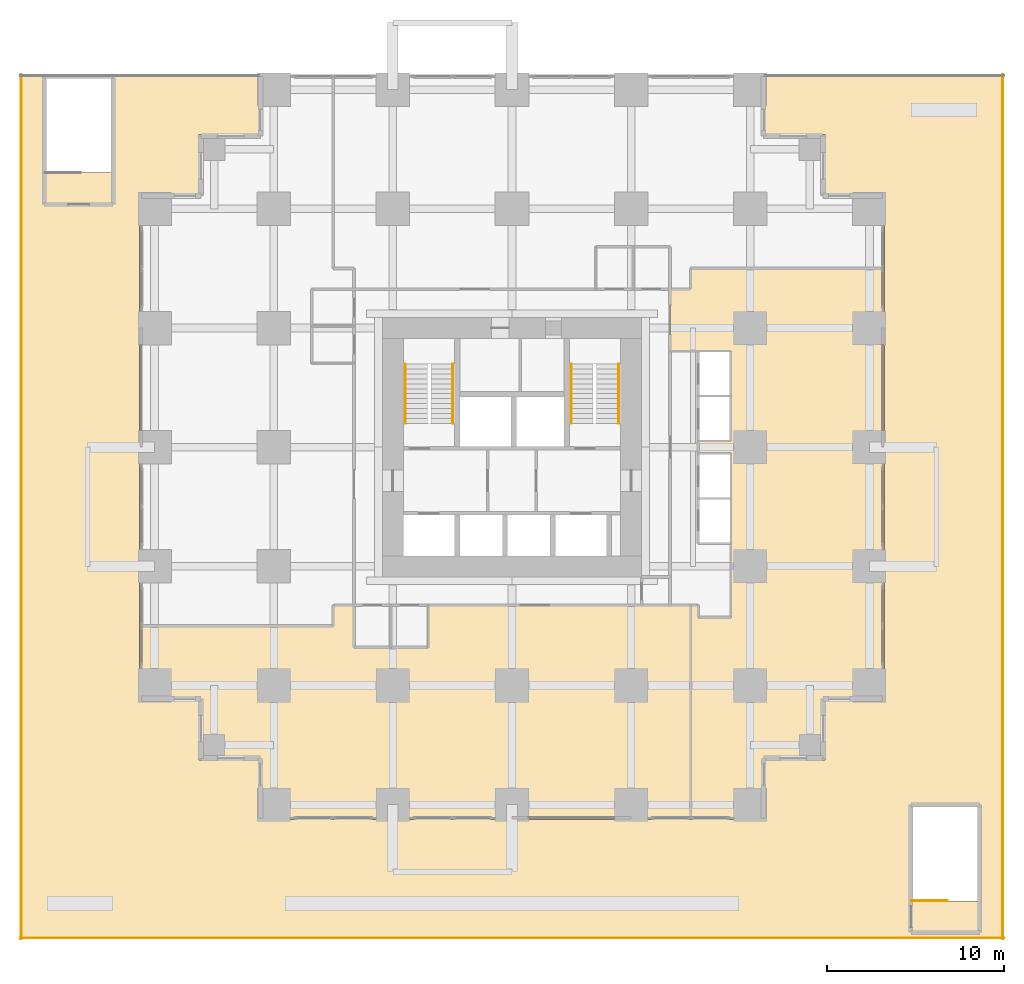
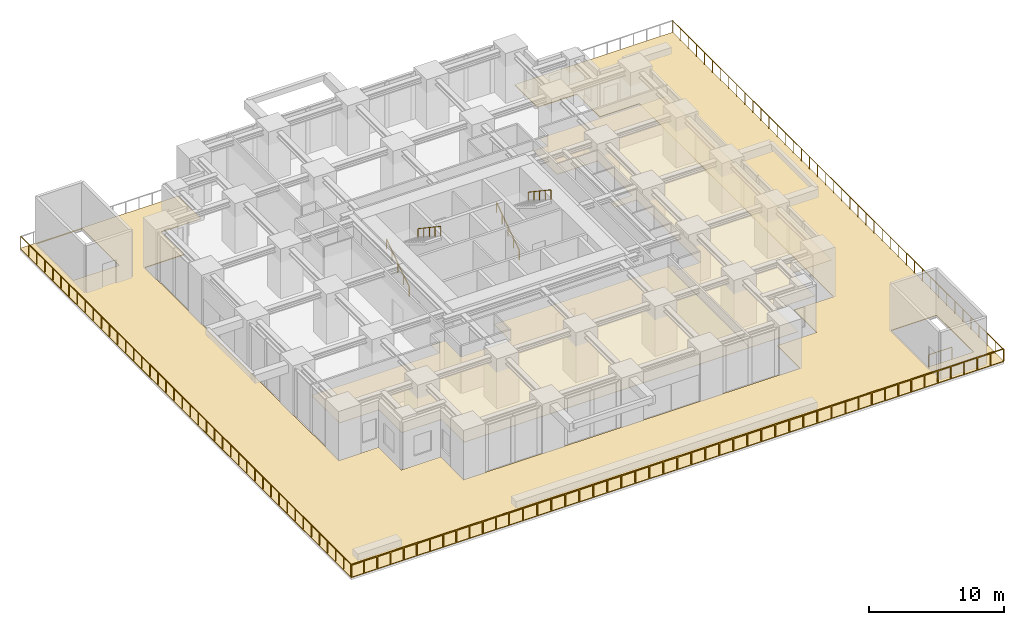
# One storey, part 8 of 9: 14 railings, 3 coverings.
"""IFC4 building model written with IfcOpenShell, lengths in metres."""

from ifc_helpers import new_model, si_unit, direction, frame, origin, origin_2d, place, context, subcontext, project, spatial, polyline, rectangle, outline, extrude, material, layer, layer_set, type_object, element, save


model = new_model("IFC4")

# Units and contexts
model_context = context("Model", 3, precision=1e-05, world=origin(), true_north=direction((0.0, 1.0)))
body_context = subcontext(model_context, "Body", "Model", "MODEL_VIEW")
ifc_project = project(units=[si_unit("LENGTHUNIT", "METRE"), si_unit("AREAUNIT", "SQUARE_METRE"), si_unit("VOLUMEUNIT", "CUBIC_METRE"), si_unit("PLANEANGLEUNIT", "RADIAN"), si_unit("MASSUNIT", "GRAM", prefix="KILO")], contexts=[model_context])

# Site, building, storey
site_placement = place(None, origin())
site = spatial("IfcSite", under=ifc_project, at=site_placement, CompositionType="ELEMENT")
building_placement = place(site_placement, origin())
building = spatial("IfcBuilding", under=site, at=building_placement, Name="Nyansa Garden Tower", CompositionType="ELEMENT")
storey_placement = place(building_placement, frame((0.0, 0.0, 13.5)))
storey = spatial("IfcBuildingStorey", under=building, at=storey_placement, Name="L03", CompositionType="ELEMENT", Elevation=13.5)

# Railings
ifc_material_1 = material(Name="Black powder-coated steel tube 48 mm", Category="steel")
railing_type_1 = type_object("IfcRailingType", Name="Stair handrail HR1", PredefinedType="HANDRAIL", material=ifc_material_1)
railing_1_placement = place(storey_placement, frame((14.199951171875, 21.60009765625, 0.0)))
element("IfcRailing", 1, at=railing_1_placement, inside=storey, type_object=railing_type_1, Name="Stair S1 handrail L03", PredefinedType="HANDRAIL", context=body_context, shape_type="SweptSolid", body=[
    extrude(rectangle(XDim=0.048095703125, YDim=0.048095703125, at=origin_2d()), frame((0.0, 0.0, 0.8759765625), z_axis=(0.0, 0.830896709279, 0.556426687452), x_axis=(-1.0, 0.0, 0.0)), (0.0, 0.0, 1.0), 4.043701171875),
    extrude(rectangle(XDim=0.0419921875, YDim=0.0419921875, at=origin_2d()), origin(), (0.0, 0.0, 1.0), 0.851806640625),
    extrude(rectangle(XDim=0.0419921875, YDim=0.0419921875, at=origin_2d()), frame((0.0, 0.83984375, 0.5625)), (0.0, 0.0, 1.0), 0.851806640625),
    extrude(rectangle(XDim=0.0419921875, YDim=0.0419921875, at=origin_2d()), frame((0.0, 1.679931640625, 1.125)), (0.0, 0.0, 1.0), 0.851806640625),
    extrude(rectangle(XDim=0.0419921875, YDim=0.0419921875, at=origin_2d()), frame((0.0, 2.52001953125, 1.6875)), (0.0, 0.0, 1.0), 0.851806640625),
    extrude(rectangle(XDim=0.0419921875, YDim=0.0419921875, at=origin_2d()), frame((0.0, 3.35986328125, 2.25)), (0.0, 0.0, 1.0), 0.851806640625),
])
railing_2_placement = place(storey_placement, frame((16.89990234375, 24.9599609375, 2.25)))
element("IfcRailing", 2, at=railing_2_placement, inside=storey, type_object=railing_type_1, Name="Stair S1 handrail L03", PredefinedType="HANDRAIL", context=body_context, shape_type="SweptSolid", body=[
    extrude(rectangle(XDim=0.048095703125, YDim=0.048095703125, at=origin_2d()), frame((0.0, 0.0, 0.8759765625), z_axis=(0.0, -0.830896709279, 0.556426687452), x_axis=(1.0, 0.0, 0.0)), (0.0, 0.0, 1.0), 4.043701171875),
    extrude(rectangle(XDim=0.0419921875, YDim=0.0419921875, at=origin_2d()), origin(), (0.0, 0.0, 1.0), 0.851806640625),
    extrude(rectangle(XDim=0.0419921875, YDim=0.0419921875, at=origin_2d()), frame((0.0, -0.83984375, 0.5625)), (0.0, 0.0, 1.0), 0.851806640625),
    extrude(rectangle(XDim=0.0419921875, YDim=0.0419921875, at=origin_2d()), frame((0.0, -1.679931640625, 1.125)), (0.0, 0.0, 1.0), 0.851806640625),
    extrude(rectangle(XDim=0.0419921875, YDim=0.0419921875, at=origin_2d()), frame((0.0, -2.52001953125, 1.6875)), (0.0, 0.0, 1.0), 0.851806640625),
    extrude(rectangle(XDim=0.0419921875, YDim=0.0419921875, at=origin_2d()), frame((0.0, -3.35986328125, 2.25)), (0.0, 0.0, 1.0), 0.851806640625),
])
railing_3_placement = place(storey_placement, frame((23.60009765625, 21.60009765625, 0.0)))
element("IfcRailing", 3, at=railing_3_placement, inside=storey, type_object=railing_type_1, Name="Stair S2 handrail L03", PredefinedType="HANDRAIL", context=body_context, shape_type="SweptSolid", body=[
    extrude(rectangle(XDim=0.048095703125, YDim=0.048095703125, at=origin_2d()), frame((0.0, 0.0, 0.8759765625), z_axis=(0.0, 0.830896709279, 0.556426687452), x_axis=(-1.0, 0.0, 0.0)), (0.0, 0.0, 1.0), 4.043701171875),
    extrude(rectangle(XDim=0.0419921875, YDim=0.0419921875, at=origin_2d()), origin(), (0.0, 0.0, 1.0), 0.851806640625),
    extrude(rectangle(XDim=0.0419921875, YDim=0.0419921875, at=origin_2d()), frame((0.0, 0.83984375, 0.5625)), (0.0, 0.0, 1.0), 0.851806640625),
    extrude(rectangle(XDim=0.0419921875, YDim=0.0419921875, at=origin_2d()), frame((0.0, 1.679931640625, 1.125)), (0.0, 0.0, 1.0), 0.851806640625),
    extrude(rectangle(XDim=0.0419921875, YDim=0.0419921875, at=origin_2d()), frame((0.0, 2.52001953125, 1.6875)), (0.0, 0.0, 1.0), 0.851806640625),
    extrude(rectangle(XDim=0.0419921875, YDim=0.0419921875, at=origin_2d()), frame((0.0, 3.35986328125, 2.25)), (0.0, 0.0, 1.0), 0.851806640625),
])
railing_4_placement = place(storey_placement, frame((26.300048828125, 24.9599609375, 2.25)))
element("IfcRailing", 4, at=railing_4_placement, inside=storey, type_object=railing_type_1, Name="Stair S2 handrail L03", PredefinedType="HANDRAIL", context=body_context, shape_type="SweptSolid", body=[
    extrude(rectangle(XDim=0.048095703125, YDim=0.048095703125, at=origin_2d()), frame((0.0, 0.0, 0.8759765625), z_axis=(0.0, -0.830896709279, 0.556426687452), x_axis=(1.0, 0.0, 0.0)), (0.0, 0.0, 1.0), 4.043701171875),
    extrude(rectangle(XDim=0.0419921875, YDim=0.0419921875, at=origin_2d()), origin(), (0.0, 0.0, 1.0), 0.851806640625),
    extrude(rectangle(XDim=0.0419921875, YDim=0.0419921875, at=origin_2d()), frame((0.0, -0.83984375, 0.5625)), (0.0, 0.0, 1.0), 0.851806640625),
    extrude(rectangle(XDim=0.0419921875, YDim=0.0419921875, at=origin_2d()), frame((0.0, -1.679931640625, 1.125)), (0.0, 0.0, 1.0), 0.851806640625),
    extrude(rectangle(XDim=0.0419921875, YDim=0.0419921875, at=origin_2d()), frame((0.0, -2.52001953125, 1.6875)), (0.0, 0.0, 1.0), 0.851806640625),
    extrude(rectangle(XDim=0.0419921875, YDim=0.0419921875, at=origin_2d()), frame((0.0, -3.35986328125, 2.25)), (0.0, 0.0, 1.0), 0.851806640625),
])
ifc_material_2 = material(Name="Black powder-coated steel balusters", Category="steel")
railing_type_2 = type_object("IfcRailingType", Name="Stair well guard G3", PredefinedType="GUARDRAIL", material=ifc_material_2)
railing_5_placement = place(storey_placement, frame((42.89990234375, -5.449951171875, 0.0)))
element("IfcRailing", 5, at=railing_5_placement, inside=storey, type_object=railing_type_2, Name="Stair S4 well guard L03", PredefinedType="GUARDRAIL", context=body_context, shape_type="SweptSolid", body=[
    extrude(rectangle(XDim=0.048095703125, YDim=0.048095703125, at=origin_2d()), frame((0.0, 0.0, 1.076171875), z_axis=(1.0, 0.0, 0.0), x_axis=(0.0, 1.0, 0.0)), (0.0, 0.0, 1.0), 2.0),
    extrude(rectangle(XDim=0.0419921875, YDim=0.0419921875, at=origin_2d()), origin(), (0.0, 0.0, 1.0), 1.052001953125),
    extrude(rectangle(XDim=0.0419921875, YDim=0.0419921875, at=origin_2d()), frame((1.0, 0.0, 0.0)), (0.0, 0.0, 1.0), 1.052001953125),
    extrude(rectangle(XDim=0.0419921875, YDim=0.0419921875, at=origin_2d()), frame((2.0, 0.0, 0.0)), (0.0, 0.0, 1.0), 1.052001953125),
])
ifc_material_3 = material(Name="Black powder-coated steel, laminated glass infill", Category="steel")
railing_type_3 = type_object("IfcRailingType", Name="Terrace guard G2", PredefinedType="GUARDRAIL", material=ifc_material_3)
railing_6_placement = place(storey_placement, frame((-0.85009765625, -7.550048828125, 0.0)))
element("IfcRailing", 6, at=railing_6_placement, inside=storey, type_object=railing_type_3, Name="Terrace guard L03", PredefinedType="GUARDRAIL", context=body_context, shape_type="SweptSolid", body=[
    extrude(rectangle(XDim=0.048095703125, YDim=0.048095703125, at=origin_2d()), frame((0.0, 0.0, 1.076171875), z_axis=(-1.0, 0.0, 0.0), x_axis=(0.0, -1.0, 0.0)), (0.0, 0.0, 1.0), 6.75),
    extrude(rectangle(XDim=0.0419921875, YDim=0.0419921875, at=origin_2d()), origin(), (0.0, 0.0, 1.0), 1.052001953125),
    extrude(rectangle(XDim=0.0419921875, YDim=0.0419921875, at=origin_2d()), frame((-1.125, 0.0, 0.0)), (0.0, 0.0, 1.0), 1.052001953125),
    extrude(rectangle(XDim=0.0419921875, YDim=0.0419921875, at=origin_2d()), frame((-2.25, 0.0, 0.0)), (0.0, 0.0, 1.0), 1.052001953125),
    extrude(rectangle(XDim=0.0419921875, YDim=0.0419921875, at=origin_2d()), frame((-3.375, 0.0, 0.0)), (0.0, 0.0, 1.0), 1.052001953125),
    extrude(rectangle(XDim=0.0419921875, YDim=0.0419921875, at=origin_2d()), frame((-4.5, 0.0, 0.0)), (0.0, 0.0, 1.0), 1.052001953125),
    extrude(rectangle(XDim=0.0419921875, YDim=0.0419921875, at=origin_2d()), frame((-5.625, 0.0, 0.0)), (0.0, 0.0, 1.0), 1.052001953125),
    extrude(rectangle(XDim=0.0419921875, YDim=0.0419921875, at=origin_2d()), frame((-6.75, 0.0, 0.0)), (0.0, 0.0, 1.0), 1.052001953125),
])
railing_7_placement = place(storey_placement, frame((-7.550048828125, -7.60009765625, 0.0)))
element("IfcRailing", 7, at=railing_7_placement, inside=storey, type_object=railing_type_3, Name="Terrace guard L03", PredefinedType="GUARDRAIL", context=body_context, shape_type="SweptSolid", body=[
    extrude(rectangle(XDim=0.048095703125, YDim=0.048095703125, at=origin_2d()), frame((0.0, 0.0, 1.076171875), z_axis=(0.0, 1.0, 0.0), x_axis=(-1.0, 0.0, 0.0)), (0.0, 0.0, 1.0), 48.9501953125),
    extrude(rectangle(XDim=0.0419921875, YDim=0.0419921875, at=origin_2d()), origin(), (0.0, 0.0, 1.0), 1.052001953125),
    extrude(rectangle(XDim=0.0419921875, YDim=0.0419921875, at=origin_2d()), frame((0.0, 1.19384765625, 0.0)), (0.0, 0.0, 1.0), 1.052001953125),
    extrude(rectangle(XDim=0.0419921875, YDim=0.0419921875, at=origin_2d()), frame((0.0, 2.3876953125, 0.0)), (0.0, 0.0, 1.0), 1.052001953125),
    extrude(rectangle(XDim=0.0419921875, YDim=0.0419921875, at=origin_2d()), frame((0.0, 3.581787109375, 0.0)), (0.0, 0.0, 1.0), 1.052001953125),
    extrude(rectangle(XDim=0.0419921875, YDim=0.0419921875, at=origin_2d()), frame((0.0, 4.775634765625, 0.0)), (0.0, 0.0, 1.0), 1.052001953125),
    extrude(rectangle(XDim=0.0419921875, YDim=0.0419921875, at=origin_2d()), frame((0.0, 5.969482421875, 0.0)), (0.0, 0.0, 1.0), 1.052001953125),
    extrude(rectangle(XDim=0.0419921875, YDim=0.0419921875, at=origin_2d()), frame((0.0, 7.163330078125, 0.0)), (0.0, 0.0, 1.0), 1.052001953125),
    extrude(rectangle(XDim=0.0419921875, YDim=0.0419921875, at=origin_2d()), frame((0.0, 8.357421875, 0.0)), (0.0, 0.0, 1.0), 1.052001953125),
    extrude(rectangle(XDim=0.0419921875, YDim=0.0419921875, at=origin_2d()), frame((0.0, 9.55126953125, 0.0)), (0.0, 0.0, 1.0), 1.052001953125),
    extrude(rectangle(XDim=0.0419921875, YDim=0.0419921875, at=origin_2d()), frame((0.0, 10.7451171875, 0.0)), (0.0, 0.0, 1.0), 1.052001953125),
    extrude(rectangle(XDim=0.0419921875, YDim=0.0419921875, at=origin_2d()), frame((0.0, 11.93896484375, 0.0)), (0.0, 0.0, 1.0), 1.052001953125),
    extrude(rectangle(XDim=0.0419921875, YDim=0.0419921875, at=origin_2d()), frame((0.0, 13.133056640625, 0.0)), (0.0, 0.0, 1.0), 1.052001953125),
    extrude(rectangle(XDim=0.0419921875, YDim=0.0419921875, at=origin_2d()), frame((0.0, 14.326904296875, 0.0)), (0.0, 0.0, 1.0), 1.052001953125),
    extrude(rectangle(XDim=0.0419921875, YDim=0.0419921875, at=origin_2d()), frame((0.0, 15.520751953125, 0.0)), (0.0, 0.0, 1.0), 1.052001953125),
    extrude(rectangle(XDim=0.0419921875, YDim=0.0419921875, at=origin_2d()), frame((0.0, 16.714599609375, 0.0)), (0.0, 0.0, 1.0), 1.052001953125),
    extrude(rectangle(XDim=0.0419921875, YDim=0.0419921875, at=origin_2d()), frame((0.0, 17.90869140625, 0.0)), (0.0, 0.0, 1.0), 1.052001953125),
    extrude(rectangle(XDim=0.0419921875, YDim=0.0419921875, at=origin_2d()), frame((0.0, 19.1025390625, 0.0)), (0.0, 0.0, 1.0), 1.052001953125),
    extrude(rectangle(XDim=0.0419921875, YDim=0.0419921875, at=origin_2d()), frame((0.0, 20.29638671875, 0.0)), (0.0, 0.0, 1.0), 1.052001953125),
    extrude(rectangle(XDim=0.0419921875, YDim=0.0419921875, at=origin_2d()), frame((0.0, 21.490234375, 0.0)), (0.0, 0.0, 1.0), 1.052001953125),
    extrude(rectangle(XDim=0.0419921875, YDim=0.0419921875, at=origin_2d()), frame((0.0, 22.684326171875, 0.0)), (0.0, 0.0, 1.0), 1.052001953125),
    extrude(rectangle(XDim=0.0419921875, YDim=0.0419921875, at=origin_2d()), frame((0.0, 23.878173828125, 0.0)), (0.0, 0.0, 1.0), 1.052001953125),
    extrude(rectangle(XDim=0.0419921875, YDim=0.0419921875, at=origin_2d()), frame((0.0, 25.072021484375, 0.0)), (0.0, 0.0, 1.0), 1.052001953125),
    extrude(rectangle(XDim=0.0419921875, YDim=0.0419921875, at=origin_2d()), frame((0.0, 26.265869140625, 0.0)), (0.0, 0.0, 1.0), 1.052001953125),
    extrude(rectangle(XDim=0.0419921875, YDim=0.0419921875, at=origin_2d()), frame((0.0, 27.4599609375, 0.0)), (0.0, 0.0, 1.0), 1.052001953125),
    extrude(rectangle(XDim=0.0419921875, YDim=0.0419921875, at=origin_2d()), frame((0.0, 28.65380859375, 0.0)), (0.0, 0.0, 1.0), 1.052001953125),
    extrude(rectangle(XDim=0.0419921875, YDim=0.0419921875, at=origin_2d()), frame((0.0, 29.84765625, 0.0)), (0.0, 0.0, 1.0), 1.052001953125),
    extrude(rectangle(XDim=0.0419921875, YDim=0.0419921875, at=origin_2d()), frame((0.0, 31.04150390625, 0.0)), (0.0, 0.0, 1.0), 1.052001953125),
    extrude(rectangle(XDim=0.0419921875, YDim=0.0419921875, at=origin_2d()), frame((0.0, 32.235595703125, 0.0)), (0.0, 0.0, 1.0), 1.052001953125),
    extrude(rectangle(XDim=0.0419921875, YDim=0.0419921875, at=origin_2d()), frame((0.0, 33.429443359375, 0.0)), (0.0, 0.0, 1.0), 1.052001953125),
    extrude(rectangle(XDim=0.0419921875, YDim=0.0419921875, at=origin_2d()), frame((0.0, 34.623291015625, 0.0)), (0.0, 0.0, 1.0), 1.052001953125),
    extrude(rectangle(XDim=0.0419921875, YDim=0.0419921875, at=origin_2d()), frame((0.0, 35.817138671875, 0.0)), (0.0, 0.0, 1.0), 1.052001953125),
    extrude(rectangle(XDim=0.0419921875, YDim=0.0419921875, at=origin_2d()), frame((0.0, 37.01123046875, 0.0)), (0.0, 0.0, 1.0), 1.052001953125),
    extrude(rectangle(XDim=0.0419921875, YDim=0.0419921875, at=origin_2d()), frame((0.0, 38.205078125, 0.0)), (0.0, 0.0, 1.0), 1.052001953125),
    extrude(rectangle(XDim=0.0419921875, YDim=0.0419921875, at=origin_2d()), frame((0.0, 39.39892578125, 0.0)), (0.0, 0.0, 1.0), 1.052001953125),
    extrude(rectangle(XDim=0.0419921875, YDim=0.0419921875, at=origin_2d()), frame((0.0, 40.5927734375, 0.0)), (0.0, 0.0, 1.0), 1.052001953125),
    extrude(rectangle(XDim=0.0419921875, YDim=0.0419921875, at=origin_2d()), frame((0.0, 41.786865234375, 0.0)), (0.0, 0.0, 1.0), 1.052001953125),
    extrude(rectangle(XDim=0.0419921875, YDim=0.0419921875, at=origin_2d()), frame((0.0, 42.980712890625, 0.0)), (0.0, 0.0, 1.0), 1.052001953125),
    extrude(rectangle(XDim=0.0419921875, YDim=0.0419921875, at=origin_2d()), frame((0.0, 44.174560546875, 0.0)), (0.0, 0.0, 1.0), 1.052001953125),
    extrude(rectangle(XDim=0.0419921875, YDim=0.0419921875, at=origin_2d()), frame((0.0, 45.368408203125, 0.0)), (0.0, 0.0, 1.0), 1.052001953125),
    extrude(rectangle(XDim=0.0419921875, YDim=0.0419921875, at=origin_2d()), frame((0.0, 46.5625, 0.0)), (0.0, 0.0, 1.0), 1.052001953125),
    extrude(rectangle(XDim=0.0419921875, YDim=0.0419921875, at=origin_2d()), frame((0.0, 47.75634765625, 0.0)), (0.0, 0.0, 1.0), 1.052001953125),
    extrude(rectangle(XDim=0.0419921875, YDim=0.0419921875, at=origin_2d()), frame((0.0, 48.9501953125, 0.0)), (0.0, 0.0, 1.0), 1.052001953125),
])
for number, where, name in (
    (8, (2.52490234375, -7.550048828125, 0.0), "Terrace guard L03"),
    (9, (5.89990234375, -7.550048828125, 0.0), "Terrace guard L03"),
):
    element("IfcRailing", number, at=place(storey_placement, frame(where)), inside=storey, type_object=railing_type_3, Name=name, PredefinedType="GUARDRAIL", context=body_context, shape_type="SweptSolid", body=[
        extrude(rectangle(XDim=0.048095703125, YDim=0.048095703125, at=origin_2d()), frame((0.0, 0.0, 1.076171875), z_axis=(-1.0, 0.0, 0.0), x_axis=(0.0, -1.0, 0.0)), (0.0, 0.0, 1.0), 3.375),
        extrude(rectangle(XDim=0.0419921875, YDim=0.0419921875, at=origin_2d()), origin(), (0.0, 0.0, 1.0), 1.052001953125),
        extrude(rectangle(XDim=0.0419921875, YDim=0.0419921875, at=origin_2d()), frame((-1.125, 0.0, 0.0)), (0.0, 0.0, 1.0), 1.052001953125),
        extrude(rectangle(XDim=0.0419921875, YDim=0.0419921875, at=origin_2d()), frame((-2.25, 0.0, 0.0)), (0.0, 0.0, 1.0), 1.052001953125),
        extrude(rectangle(XDim=0.0419921875, YDim=0.0419921875, at=origin_2d()), frame((-3.375, 0.0, 0.0)), (0.0, 0.0, 1.0), 1.052001953125),
    ])
railing_8_placement = place(storey_placement, frame((34.60009765625, -7.550048828125, 0.0)))
element("IfcRailing", 10, at=railing_8_placement, inside=storey, type_object=railing_type_3, Name="Terrace guard L03", PredefinedType="GUARDRAIL", context=body_context, shape_type="SweptSolid", body=[
    extrude(rectangle(XDim=0.048095703125, YDim=0.048095703125, at=origin_2d()), frame((0.0, 0.0, 1.076171875), z_axis=(-1.0, 0.0, 0.0), x_axis=(0.0, -1.0, 0.0)), (0.0, 0.0, 1.0), 28.7001953125),
    extrude(rectangle(XDim=0.0419921875, YDim=0.0419921875, at=origin_2d()), origin(), (0.0, 0.0, 1.0), 1.052001953125),
    extrude(rectangle(XDim=0.0419921875, YDim=0.0419921875, at=origin_2d()), frame((-1.19580078125, 0.0, 0.0)), (0.0, 0.0, 1.0), 1.052001953125),
    extrude(rectangle(XDim=0.0419921875, YDim=0.0419921875, at=origin_2d()), frame((-2.3916015625, 0.0, 0.0)), (0.0, 0.0, 1.0), 1.052001953125),
    extrude(rectangle(XDim=0.0419921875, YDim=0.0419921875, at=origin_2d()), frame((-3.58740234375, 0.0, 0.0)), (0.0, 0.0, 1.0), 1.052001953125),
    extrude(rectangle(XDim=0.0419921875, YDim=0.0419921875, at=origin_2d()), frame((-4.783447265625, 0.0, 0.0)), (0.0, 0.0, 1.0), 1.052001953125),
    extrude(rectangle(XDim=0.0419921875, YDim=0.0419921875, at=origin_2d()), frame((-5.979248046875, 0.0, 0.0)), (0.0, 0.0, 1.0), 1.052001953125),
    extrude(rectangle(XDim=0.0419921875, YDim=0.0419921875, at=origin_2d()), frame((-7.175048828125, 0.0, 0.0)), (0.0, 0.0, 1.0), 1.052001953125),
    extrude(rectangle(XDim=0.0419921875, YDim=0.0419921875, at=origin_2d()), frame((-8.370849609375, 0.0, 0.0)), (0.0, 0.0, 1.0), 1.052001953125),
    extrude(rectangle(XDim=0.0419921875, YDim=0.0419921875, at=origin_2d()), frame((-9.566650390625, 0.0, 0.0)), (0.0, 0.0, 1.0), 1.052001953125),
    extrude(rectangle(XDim=0.0419921875, YDim=0.0419921875, at=origin_2d()), frame((-10.7626953125, 0.0, 0.0)), (0.0, 0.0, 1.0), 1.052001953125),
    extrude(rectangle(XDim=0.0419921875, YDim=0.0419921875, at=origin_2d()), frame((-11.95849609375, 0.0, 0.0)), (0.0, 0.0, 1.0), 1.052001953125),
    extrude(rectangle(XDim=0.0419921875, YDim=0.0419921875, at=origin_2d()), frame((-13.154296875, 0.0, 0.0)), (0.0, 0.0, 1.0), 1.052001953125),
    extrude(rectangle(XDim=0.0419921875, YDim=0.0419921875, at=origin_2d()), frame((-14.35009765625, 0.0, 0.0)), (0.0, 0.0, 1.0), 1.052001953125),
    extrude(rectangle(XDim=0.0419921875, YDim=0.0419921875, at=origin_2d()), frame((-15.5458984375, 0.0, 0.0)), (0.0, 0.0, 1.0), 1.052001953125),
    extrude(rectangle(XDim=0.0419921875, YDim=0.0419921875, at=origin_2d()), frame((-16.74169921875, 0.0, 0.0)), (0.0, 0.0, 1.0), 1.052001953125),
    extrude(rectangle(XDim=0.0419921875, YDim=0.0419921875, at=origin_2d()), frame((-17.9375, 0.0, 0.0)), (0.0, 0.0, 1.0), 1.052001953125),
    extrude(rectangle(XDim=0.0419921875, YDim=0.0419921875, at=origin_2d()), frame((-19.133544921875, 0.0, 0.0)), (0.0, 0.0, 1.0), 1.052001953125),
    extrude(rectangle(XDim=0.0419921875, YDim=0.0419921875, at=origin_2d()), frame((-20.329345703125, 0.0, 0.0)), (0.0, 0.0, 1.0), 1.052001953125),
    extrude(rectangle(XDim=0.0419921875, YDim=0.0419921875, at=origin_2d()), frame((-21.525146484375, 0.0, 0.0)), (0.0, 0.0, 1.0), 1.052001953125),
    extrude(rectangle(XDim=0.0419921875, YDim=0.0419921875, at=origin_2d()), frame((-22.720947265625, 0.0, 0.0)), (0.0, 0.0, 1.0), 1.052001953125),
    extrude(rectangle(XDim=0.0419921875, YDim=0.0419921875, at=origin_2d()), frame((-23.916748046875, 0.0, 0.0)), (0.0, 0.0, 1.0), 1.052001953125),
    extrude(rectangle(XDim=0.0419921875, YDim=0.0419921875, at=origin_2d()), frame((-25.11279296875, 0.0, 0.0)), (0.0, 0.0, 1.0), 1.052001953125),
    extrude(rectangle(XDim=0.0419921875, YDim=0.0419921875, at=origin_2d()), frame((-26.30859375, 0.0, 0.0)), (0.0, 0.0, 1.0), 1.052001953125),
    extrude(rectangle(XDim=0.0419921875, YDim=0.0419921875, at=origin_2d()), frame((-27.50439453125, 0.0, 0.0)), (0.0, 0.0, 1.0), 1.052001953125),
    extrude(rectangle(XDim=0.0419921875, YDim=0.0419921875, at=origin_2d()), frame((-28.7001953125, 0.0, 0.0)), (0.0, 0.0, 1.0), 1.052001953125),
])
for number, where, name in (
    (11, (37.97509765625, -7.550048828125, 0.0), "Terrace guard L03"),
    (12, (41.35009765625, -7.550048828125, 0.0), "Terrace guard L03"),
):
    element("IfcRailing", number, at=place(storey_placement, frame(where)), inside=storey, type_object=railing_type_3, Name=name, PredefinedType="GUARDRAIL", context=body_context, shape_type="SweptSolid", body=[
        extrude(rectangle(XDim=0.048095703125, YDim=0.048095703125, at=origin_2d()), frame((0.0, 0.0, 1.076171875), z_axis=(-1.0, 0.0, 0.0), x_axis=(0.0, -1.0, 0.0)), (0.0, 0.0, 1.0), 3.375),
        extrude(rectangle(XDim=0.0419921875, YDim=0.0419921875, at=origin_2d()), origin(), (0.0, 0.0, 1.0), 1.052001953125),
        extrude(rectangle(XDim=0.0419921875, YDim=0.0419921875, at=origin_2d()), frame((-1.125, 0.0, 0.0)), (0.0, 0.0, 1.0), 1.052001953125),
        extrude(rectangle(XDim=0.0419921875, YDim=0.0419921875, at=origin_2d()), frame((-2.25, 0.0, 0.0)), (0.0, 0.0, 1.0), 1.052001953125),
        extrude(rectangle(XDim=0.0419921875, YDim=0.0419921875, at=origin_2d()), frame((-3.375, 0.0, 0.0)), (0.0, 0.0, 1.0), 1.052001953125),
    ])
railing_9_placement = place(storey_placement, frame((48.050048828125, 41.35009765625, 0.0)))
element("IfcRailing", 13, at=railing_9_placement, inside=storey, type_object=railing_type_3, Name="Terrace guard L03", PredefinedType="GUARDRAIL", context=body_context, shape_type="SweptSolid", body=[
    extrude(rectangle(XDim=0.048095703125, YDim=0.048095703125, at=origin_2d()), frame((0.0, 0.0, 1.076171875), z_axis=(0.0, -1.0, 0.0), x_axis=(1.0, 0.0, 0.0)), (0.0, 0.0, 1.0), 48.9501953125),
    extrude(rectangle(XDim=0.0419921875, YDim=0.0419921875, at=origin_2d()), origin(), (0.0, 0.0, 1.0), 1.052001953125),
    extrude(rectangle(XDim=0.0419921875, YDim=0.0419921875, at=origin_2d()), frame((0.0, -1.19384765625, 0.0)), (0.0, 0.0, 1.0), 1.052001953125),
    extrude(rectangle(XDim=0.0419921875, YDim=0.0419921875, at=origin_2d()), frame((0.0, -2.3876953125, 0.0)), (0.0, 0.0, 1.0), 1.052001953125),
    extrude(rectangle(XDim=0.0419921875, YDim=0.0419921875, at=origin_2d()), frame((0.0, -3.581787109375, 0.0)), (0.0, 0.0, 1.0), 1.052001953125),
    extrude(rectangle(XDim=0.0419921875, YDim=0.0419921875, at=origin_2d()), frame((0.0, -4.775634765625, 0.0)), (0.0, 0.0, 1.0), 1.052001953125),
    extrude(rectangle(XDim=0.0419921875, YDim=0.0419921875, at=origin_2d()), frame((0.0, -5.969482421875, 0.0)), (0.0, 0.0, 1.0), 1.052001953125),
    extrude(rectangle(XDim=0.0419921875, YDim=0.0419921875, at=origin_2d()), frame((0.0, -7.163330078125, 0.0)), (0.0, 0.0, 1.0), 1.052001953125),
    extrude(rectangle(XDim=0.0419921875, YDim=0.0419921875, at=origin_2d()), frame((0.0, -8.357421875, 0.0)), (0.0, 0.0, 1.0), 1.052001953125),
    extrude(rectangle(XDim=0.0419921875, YDim=0.0419921875, at=origin_2d()), frame((0.0, -9.55126953125, 0.0)), (0.0, 0.0, 1.0), 1.052001953125),
    extrude(rectangle(XDim=0.0419921875, YDim=0.0419921875, at=origin_2d()), frame((0.0, -10.7451171875, 0.0)), (0.0, 0.0, 1.0), 1.052001953125),
    extrude(rectangle(XDim=0.0419921875, YDim=0.0419921875, at=origin_2d()), frame((0.0, -11.93896484375, 0.0)), (0.0, 0.0, 1.0), 1.052001953125),
    extrude(rectangle(XDim=0.0419921875, YDim=0.0419921875, at=origin_2d()), frame((0.0, -13.133056640625, 0.0)), (0.0, 0.0, 1.0), 1.052001953125),
    extrude(rectangle(XDim=0.0419921875, YDim=0.0419921875, at=origin_2d()), frame((0.0, -14.326904296875, 0.0)), (0.0, 0.0, 1.0), 1.052001953125),
    extrude(rectangle(XDim=0.0419921875, YDim=0.0419921875, at=origin_2d()), frame((0.0, -15.520751953125, 0.0)), (0.0, 0.0, 1.0), 1.052001953125),
    extrude(rectangle(XDim=0.0419921875, YDim=0.0419921875, at=origin_2d()), frame((0.0, -16.714599609375, 0.0)), (0.0, 0.0, 1.0), 1.052001953125),
    extrude(rectangle(XDim=0.0419921875, YDim=0.0419921875, at=origin_2d()), frame((0.0, -17.90869140625, 0.0)), (0.0, 0.0, 1.0), 1.052001953125),
    extrude(rectangle(XDim=0.0419921875, YDim=0.0419921875, at=origin_2d()), frame((0.0, -19.1025390625, 0.0)), (0.0, 0.0, 1.0), 1.052001953125),
    extrude(rectangle(XDim=0.0419921875, YDim=0.0419921875, at=origin_2d()), frame((0.0, -20.29638671875, 0.0)), (0.0, 0.0, 1.0), 1.052001953125),
    extrude(rectangle(XDim=0.0419921875, YDim=0.0419921875, at=origin_2d()), frame((0.0, -21.490234375, 0.0)), (0.0, 0.0, 1.0), 1.052001953125),
    extrude(rectangle(XDim=0.0419921875, YDim=0.0419921875, at=origin_2d()), frame((0.0, -22.684326171875, 0.0)), (0.0, 0.0, 1.0), 1.052001953125),
    extrude(rectangle(XDim=0.0419921875, YDim=0.0419921875, at=origin_2d()), frame((0.0, -23.878173828125, 0.0)), (0.0, 0.0, 1.0), 1.052001953125),
    extrude(rectangle(XDim=0.0419921875, YDim=0.0419921875, at=origin_2d()), frame((0.0, -25.072021484375, 0.0)), (0.0, 0.0, 1.0), 1.052001953125),
    extrude(rectangle(XDim=0.0419921875, YDim=0.0419921875, at=origin_2d()), frame((0.0, -26.265869140625, 0.0)), (0.0, 0.0, 1.0), 1.052001953125),
    extrude(rectangle(XDim=0.0419921875, YDim=0.0419921875, at=origin_2d()), frame((0.0, -27.4599609375, 0.0)), (0.0, 0.0, 1.0), 1.052001953125),
    extrude(rectangle(XDim=0.0419921875, YDim=0.0419921875, at=origin_2d()), frame((0.0, -28.65380859375, 0.0)), (0.0, 0.0, 1.0), 1.052001953125),
    extrude(rectangle(XDim=0.0419921875, YDim=0.0419921875, at=origin_2d()), frame((0.0, -29.84765625, 0.0)), (0.0, 0.0, 1.0), 1.052001953125),
    extrude(rectangle(XDim=0.0419921875, YDim=0.0419921875, at=origin_2d()), frame((0.0, -31.04150390625, 0.0)), (0.0, 0.0, 1.0), 1.052001953125),
    extrude(rectangle(XDim=0.0419921875, YDim=0.0419921875, at=origin_2d()), frame((0.0, -32.235595703125, 0.0)), (0.0, 0.0, 1.0), 1.052001953125),
    extrude(rectangle(XDim=0.0419921875, YDim=0.0419921875, at=origin_2d()), frame((0.0, -33.429443359375, 0.0)), (0.0, 0.0, 1.0), 1.052001953125),
    extrude(rectangle(XDim=0.0419921875, YDim=0.0419921875, at=origin_2d()), frame((0.0, -34.623291015625, 0.0)), (0.0, 0.0, 1.0), 1.052001953125),
    extrude(rectangle(XDim=0.0419921875, YDim=0.0419921875, at=origin_2d()), frame((0.0, -35.817138671875, 0.0)), (0.0, 0.0, 1.0), 1.052001953125),
    extrude(rectangle(XDim=0.0419921875, YDim=0.0419921875, at=origin_2d()), frame((0.0, -37.01123046875, 0.0)), (0.0, 0.0, 1.0), 1.052001953125),
    extrude(rectangle(XDim=0.0419921875, YDim=0.0419921875, at=origin_2d()), frame((0.0, -38.205078125, 0.0)), (0.0, 0.0, 1.0), 1.052001953125),
    extrude(rectangle(XDim=0.0419921875, YDim=0.0419921875, at=origin_2d()), frame((0.0, -39.39892578125, 0.0)), (0.0, 0.0, 1.0), 1.052001953125),
    extrude(rectangle(XDim=0.0419921875, YDim=0.0419921875, at=origin_2d()), frame((0.0, -40.5927734375, 0.0)), (0.0, 0.0, 1.0), 1.052001953125),
    extrude(rectangle(XDim=0.0419921875, YDim=0.0419921875, at=origin_2d()), frame((0.0, -41.786865234375, 0.0)), (0.0, 0.0, 1.0), 1.052001953125),
    extrude(rectangle(XDim=0.0419921875, YDim=0.0419921875, at=origin_2d()), frame((0.0, -42.980712890625, 0.0)), (0.0, 0.0, 1.0), 1.052001953125),
    extrude(rectangle(XDim=0.0419921875, YDim=0.0419921875, at=origin_2d()), frame((0.0, -44.174560546875, 0.0)), (0.0, 0.0, 1.0), 1.052001953125),
    extrude(rectangle(XDim=0.0419921875, YDim=0.0419921875, at=origin_2d()), frame((0.0, -45.368408203125, 0.0)), (0.0, 0.0, 1.0), 1.052001953125),
    extrude(rectangle(XDim=0.0419921875, YDim=0.0419921875, at=origin_2d()), frame((0.0, -46.5625, 0.0)), (0.0, 0.0, 1.0), 1.052001953125),
    extrude(rectangle(XDim=0.0419921875, YDim=0.0419921875, at=origin_2d()), frame((0.0, -47.75634765625, 0.0)), (0.0, 0.0, 1.0), 1.052001953125),
    extrude(rectangle(XDim=0.0419921875, YDim=0.0419921875, at=origin_2d()), frame((0.0, -48.9501953125, 0.0)), (0.0, 0.0, 1.0), 1.052001953125),
])
railing_10_placement = place(storey_placement, frame((48.10009765625, -7.550048828125, 0.0)))
element("IfcRailing", 14, at=railing_10_placement, inside=storey, type_object=railing_type_3, Name="Terrace guard L03", PredefinedType="GUARDRAIL", context=body_context, shape_type="SweptSolid", body=[
    extrude(rectangle(XDim=0.048095703125, YDim=0.048095703125, at=origin_2d()), frame((0.0, 0.0, 1.076171875), z_axis=(-1.0, 0.0, 0.0), x_axis=(0.0, -1.0, 0.0)), (0.0, 0.0, 1.0), 6.75),
    extrude(rectangle(XDim=0.0419921875, YDim=0.0419921875, at=origin_2d()), origin(), (0.0, 0.0, 1.0), 1.052001953125),
    extrude(rectangle(XDim=0.0419921875, YDim=0.0419921875, at=origin_2d()), frame((-1.125, 0.0, 0.0)), (0.0, 0.0, 1.0), 1.052001953125),
    extrude(rectangle(XDim=0.0419921875, YDim=0.0419921875, at=origin_2d()), frame((-2.25, 0.0, 0.0)), (0.0, 0.0, 1.0), 1.052001953125),
    extrude(rectangle(XDim=0.0419921875, YDim=0.0419921875, at=origin_2d()), frame((-3.375, 0.0, 0.0)), (0.0, 0.0, 1.0), 1.052001953125),
    extrude(rectangle(XDim=0.0419921875, YDim=0.0419921875, at=origin_2d()), frame((-4.5, 0.0, 0.0)), (0.0, 0.0, 1.0), 1.052001953125),
    extrude(rectangle(XDim=0.0419921875, YDim=0.0419921875, at=origin_2d()), frame((-5.625, 0.0, 0.0)), (0.0, 0.0, 1.0), 1.052001953125),
    extrude(rectangle(XDim=0.0419921875, YDim=0.0419921875, at=origin_2d()), frame((-6.75, 0.0, 0.0)), (0.0, 0.0, 1.0), 1.052001953125),
])

# Coverings
ifc_material_4 = material(Name="Terracotta and turquoise glazed tile paving on pedestals", Category="masonry")
ifc_layer_1 = layer(ifc_material_4, 0.06005859375)
ifc_layer_set_1 = layer_set([ifc_layer_1], Name="Terrace paving PV60")
covering_type_1 = type_object("IfcCoveringType", Name="Terrace paving PV60", PredefinedType="USERDEFINED", material=ifc_layer_set_1)
covering_1_placement = place(storey_placement, frame((0.0, 0.0, -0.06005859375)))
element("IfcCovering", 15, at=covering_1_placement, inside=storey, type_object=covering_type_1, Name="Terrace paving L03", ObjectType="PAVING", PredefinedType="USERDEFINED", context=body_context, shape_type="SweptSolid", body=[
    extrude(outline(polyline([(-7.60009765625, 41.35009765625), (5.89990234375, 41.35009765625), (5.89990234375, 37.97509765625), (2.52490234375, 37.97509765625), (2.52490234375, 34.60009765625), (-0.85009765625, 34.60009765625), (-0.85009765625, 5.89990234375), (2.52490234375, 5.89990234375), (2.52490234375, 2.52490234375), (5.89990234375, 2.52490234375), (5.89990234375, -0.85009765625), (34.60009765625, -0.85009765625), (34.60009765625, 2.52490234375), (37.97509765625, 2.52490234375), (37.97509765625, 5.89990234375), (41.35009765625, 5.89990234375), (41.35009765625, 34.60009765625), (37.97509765625, 34.60009765625), (37.97509765625, 37.97509765625), (34.60009765625, 37.97509765625), (34.60009765625, 41.35009765625), (48.10009765625, 41.35009765625), (48.10009765625, -7.60009765625), (-7.60009765625, -7.60009765625), (-7.60009765625, 41.35009765625)]), holes=[polyline([(46.75, -5.449951171875), (46.75, 0.0), (42.85009765625, 0.0), (42.85009765625, -5.449951171875), (46.75, -5.449951171875)]), polyline([(-2.35009765625, 35.800048828125), (-2.35009765625, 41.25), (-6.25, 41.25), (-6.25, 35.800048828125), (-2.35009765625, 35.800048828125)])]), origin(), (0.0, 0.0, 1.0), 0.06005859375),
])
ifc_material_5 = material(Name="Glazed ceramic tile coffers on suspended grid")
ifc_layer_2 = layer(ifc_material_5, 0.0400390625)
ifc_layer_set_2 = layer_set([ifc_layer_2], Name="Tiled coffered ceiling CL40")
covering_type_2 = type_object("IfcCoveringType", Name="Tiled coffered ceiling CL40", PredefinedType="CEILING", material=ifc_layer_set_2)
covering_2_placement = place(storey_placement, frame((0.0, 0.0, 3.235107421875)))
element("IfcCovering", 16, at=covering_2_placement, inside=storey, type_object=covering_type_2, Name="Ceiling L03-019", PredefinedType="CEILING", context=body_context, shape_type="SweptSolid", body=[
    extrude(outline(polyline([(2.625, 2.625), (2.625, 6.0), (-0.75, 6.0), (-0.75, 10.125), (10.125, 10.125), (10.125, 11.300048828125), (11.300048828125, 11.300048828125), (11.300048828125, 8.89990234375), (15.5, 8.89990234375), (15.5, 11.300048828125), (30.375, 11.300048828125), (30.375, -0.75), (6.0, -0.75), (6.0, 2.625), (2.625, 2.625)])), origin(), (0.0, 0.0, 1.0), 0.039794921875),
])
covering_3_placement = place(storey_placement, frame((0.0, 0.0, 3.235107421875)))
element("IfcCovering", 17, at=covering_3_placement, inside=storey, type_object=covering_type_2, Name="Ceiling L03-022", PredefinedType="CEILING", context=body_context, shape_type="SweptSolid", body=[
    extrude(outline(polyline([(30.375, -0.75), (30.375, 11.300048828125), (30.800048828125, 11.300048828125), (30.800048828125, 10.60009765625), (32.64990234375, 10.60009765625), (32.64990234375, 19.89990234375), (30.800048828125, 19.89990234375), (30.800048828125, 20.60009765625), (32.64990234375, 20.60009765625), (32.64990234375, 25.699951171875), (29.199951171875, 25.699951171875), (29.199951171875, 29.199951171875), (30.375, 29.199951171875), (30.375, 30.375), (41.25, 30.375), (41.25, 6.0), (37.875, 6.0), (37.875, 2.625), (34.5, 2.625), (34.5, -0.75), (30.375, -0.75)])), origin(), (0.0, 0.0, 1.0), 0.039794921875),
])

save(model, "model.ifc")
